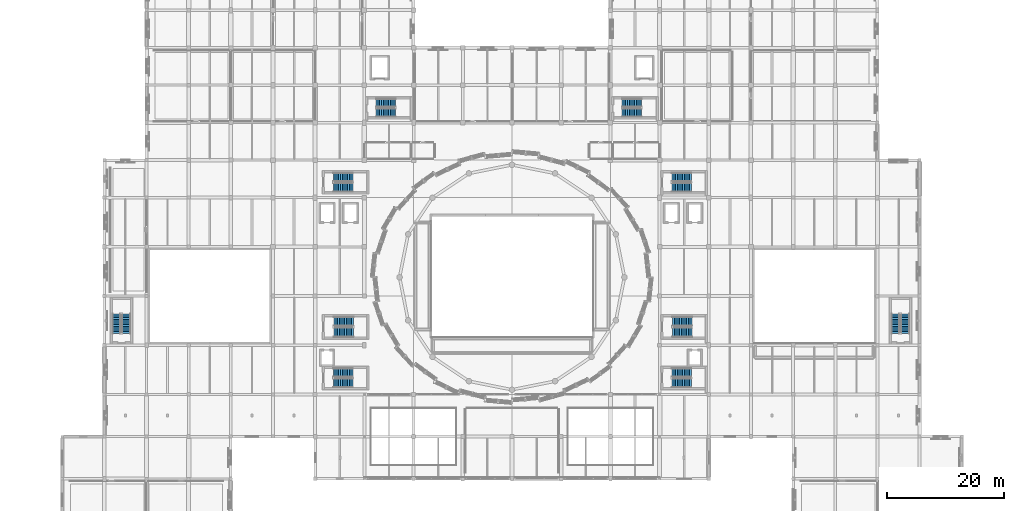
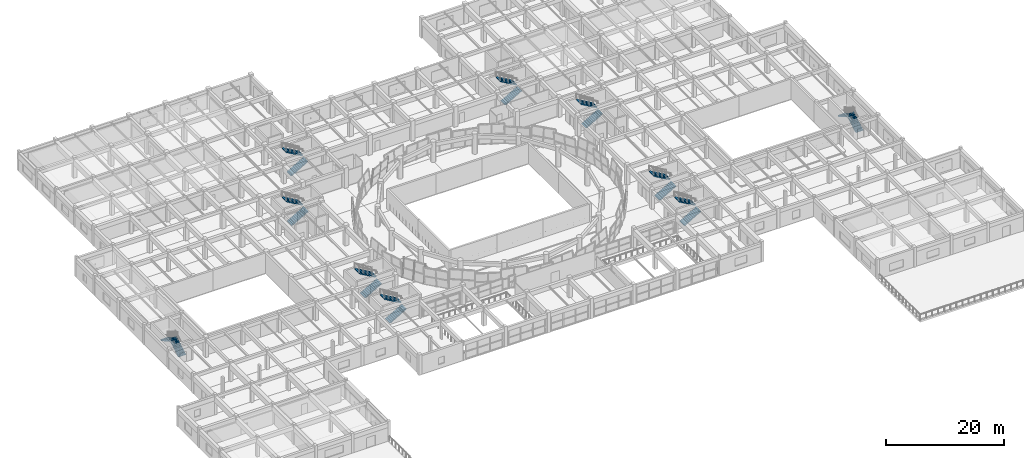
# One storey, part 55 of 71: 20 stair flights, 10 elements without a shape of their own.
"""IFC4 building model written with IfcOpenShell, lengths in metres."""

from ifc_helpers import new_model, si_unit, direction, frame, origin, place, context, subcontext, project, spatial, polyline, outline, extrude, material, type_object, element, aggregate, save


model = new_model("IFC4")

# Units and contexts
model_context = context("Model", 3, precision=1e-05, world=origin(), true_north=direction((0.0, 1.0)))
body_context = subcontext(model_context, "Body", "Model", "MODEL_VIEW")
ifc_project = project(units=[si_unit("LENGTHUNIT", "METRE"), si_unit("AREAUNIT", "SQUARE_METRE"), si_unit("VOLUMEUNIT", "CUBIC_METRE"), si_unit("PLANEANGLEUNIT", "RADIAN"), si_unit("MASSUNIT", "GRAM", prefix="KILO")], contexts=[model_context])

# Site, building, storey
site_placement = place(None, origin())
site = spatial("IfcSite", under=ifc_project, at=site_placement, CompositionType="ELEMENT")
building_placement = place(site_placement, origin())
building = spatial("IfcBuilding", under=site, at=building_placement, Name="Korsvaeld Concert Hall", CompositionType="ELEMENT")
storey_placement = place(building_placement, frame((0.0, 0.0, 4.800048828125)))
storey = spatial("IfcBuildingStorey", under=building, at=storey_placement, Name="L01", CompositionType="ELEMENT", Elevation=4.800048828125)

# Stair, stair flights
ifc_material = material(Name="Precast concrete C40/50", Category="concrete")
stair_type_1 = type_object("IfcStairType", Name="STR-HT-145-42", PredefinedType="HALF_TURN_STAIR", material=ifc_material)
stair_1_placement = place(storey_placement, origin())
stair_1 = element("IfcStair", 1, at=stair_1_placement, inside=storey, type_object=stair_type_1, Name="L01 ST-K5", PredefinedType="HALF_TURN_STAIR")
stair_flight_type_1 = type_object("IfcStairFlightType", Name="STF-STR-145-42", PredefinedType="STRAIGHT", material=ifc_material)
stair_flight_1_placement = place(storey_placement, frame((60.820068359375, 91.294921875, 0.0), z_axis=(0.0, 0.0, 1.0), x_axis=(1.0, 0.0, 0.0)))
stair_flight_1 = element("IfcStairFlight", 2, at=stair_flight_1_placement, type_object=stair_flight_type_1, Name="ST-K5 flight 1", NumberOfRisers=12, NumberOfTreads=11, PredefinedType="STRAIGHT", RiserHeight=0.175, TreadLength=0.3, context=body_context, shape_type="SweptSolid", body=[
    extrude(outline(polyline([(0.0, 0.0), (0.0, 0.175048828125), (0.300048828125, 0.175048828125), (0.300048828125, 0.35009765625), (0.60009765625, 0.35009765625), (0.60009765625, 0.52490234375), (0.89990234375, 0.52490234375), (0.89990234375, 0.699951171875), (1.199951171875, 0.699951171875), (1.199951171875, 0.875), (1.5, 0.875), (1.5, 1.050048828125), (1.800048828125, 1.050048828125), (1.800048828125, 1.22509765625), (2.10009765625, 1.22509765625), (2.10009765625, 1.39990234375), (2.39990234375, 1.39990234375), (2.39990234375, 1.574951171875), (2.699951171875, 1.574951171875), (2.699951171875, 1.75), (3.0, 1.75), (3.0, 1.925048828125), (3.300048828125, 1.925048828125), (3.300048828125, 2.10009765625), (3.300048828125, 1.75146484375), (0.297607421875, 0.0), (0.0, 0.0)])), frame((0.0, 0.72509765625, 0.0), z_axis=(0.0, -1.0, 0.0), x_axis=(1.0, 0.0, 0.0)), (0.0, 0.0, 1.0), 1.449951171875),
])
stair_flight_2_placement = place(storey_placement, frame((64.1201171875, 92.945068359375, 2.099853515625), z_axis=(0.0, 0.0, 1.0), x_axis=(-1.0, 0.0, 0.0)))
stair_flight_2 = element("IfcStairFlight", 3, at=stair_flight_2_placement, type_object=stair_flight_type_1, Name="ST-K5 flight 2", NumberOfRisers=12, NumberOfTreads=11, PredefinedType="STRAIGHT", RiserHeight=0.175, TreadLength=0.3, context=body_context, shape_type="SweptSolid", body=[
    extrude(outline(polyline([(0.0, 0.0), (0.0, 0.175048828125), (0.300048828125, 0.175048828125), (0.300048828125, 0.35009765625), (0.60009765625, 0.35009765625), (0.60009765625, 0.52490234375), (0.89990234375, 0.52490234375), (0.89990234375, 0.699951171875), (1.199951171875, 0.699951171875), (1.199951171875, 0.875), (1.5, 0.875), (1.5, 1.050048828125), (1.800048828125, 1.050048828125), (1.800048828125, 1.22509765625), (2.10009765625, 1.22509765625), (2.10009765625, 1.39990234375), (2.39990234375, 1.39990234375), (2.39990234375, 1.574951171875), (2.699951171875, 1.574951171875), (2.699951171875, 1.75), (3.0, 1.75), (3.0, 1.925048828125), (3.300048828125, 1.925048828125), (3.300048828125, 2.10009765625), (3.300048828125, 1.75146484375), (0.297607421875, 0.0), (0.0, 0.0)])), frame((0.0, 0.72509765625, 0.0), z_axis=(0.0, -1.0, 0.0), x_axis=(1.0, 0.0, 0.0)), (0.0, 0.0, 1.0), 1.449951171875),
])
aggregate(stair_1, [stair_flight_1, stair_flight_2])

stair_2_placement = place(storey_placement, origin())
stair_2 = element("IfcStair", 4, at=stair_2_placement, inside=storey, type_object=stair_type_1, Name="L01 ST-K6", PredefinedType="HALF_TURN_STAIR")
stair_flight_3_placement = place(storey_placement, frame((102.820068359375, 91.294921875, 0.0), z_axis=(0.0, 0.0, 1.0), x_axis=(1.0, 0.0, 0.0)))
stair_flight_3 = element("IfcStairFlight", 5, at=stair_flight_3_placement, type_object=stair_flight_type_1, Name="ST-K6 flight 1", NumberOfRisers=12, NumberOfTreads=11, PredefinedType="STRAIGHT", RiserHeight=0.175, TreadLength=0.3, context=body_context, shape_type="SweptSolid", body=[
    extrude(outline(polyline([(0.0, 0.0), (0.0, 0.175048828125), (0.300048828125, 0.175048828125), (0.300048828125, 0.35009765625), (0.60009765625, 0.35009765625), (0.60009765625, 0.52490234375), (0.89990234375, 0.52490234375), (0.89990234375, 0.699951171875), (1.199951171875, 0.699951171875), (1.199951171875, 0.875), (1.5, 0.875), (1.5, 1.050048828125), (1.800048828125, 1.050048828125), (1.800048828125, 1.22509765625), (2.10009765625, 1.22509765625), (2.10009765625, 1.39990234375), (2.39990234375, 1.39990234375), (2.39990234375, 1.574951171875), (2.699951171875, 1.574951171875), (2.699951171875, 1.75), (3.0, 1.75), (3.0, 1.925048828125), (3.300048828125, 1.925048828125), (3.300048828125, 2.10009765625), (3.300048828125, 1.75146484375), (0.297607421875, 0.0), (0.0, 0.0)])), frame((0.0, 0.72509765625, 0.0), z_axis=(0.0, -1.0, 0.0), x_axis=(1.0, 0.0, 0.0)), (0.0, 0.0, 1.0), 1.449951171875),
])
stair_flight_4_placement = place(storey_placement, frame((106.1201171875, 92.945068359375, 2.099853515625), z_axis=(0.0, 0.0, 1.0), x_axis=(-1.0, 0.0, 0.0)))
stair_flight_4 = element("IfcStairFlight", 6, at=stair_flight_4_placement, type_object=stair_flight_type_1, Name="ST-K6 flight 2", NumberOfRisers=12, NumberOfTreads=11, PredefinedType="STRAIGHT", RiserHeight=0.175, TreadLength=0.3, context=body_context, shape_type="SweptSolid", body=[
    extrude(outline(polyline([(0.0, 0.0), (0.0, 0.175048828125), (0.300048828125, 0.175048828125), (0.300048828125, 0.35009765625), (0.60009765625, 0.35009765625), (0.60009765625, 0.52490234375), (0.89990234375, 0.52490234375), (0.89990234375, 0.699951171875), (1.199951171875, 0.699951171875), (1.199951171875, 0.875), (1.5, 0.875), (1.5, 1.050048828125), (1.800048828125, 1.050048828125), (1.800048828125, 1.22509765625), (2.10009765625, 1.22509765625), (2.10009765625, 1.39990234375), (2.39990234375, 1.39990234375), (2.39990234375, 1.574951171875), (2.699951171875, 1.574951171875), (2.699951171875, 1.75), (3.0, 1.75), (3.0, 1.925048828125), (3.300048828125, 1.925048828125), (3.300048828125, 2.10009765625), (3.300048828125, 1.75146484375), (0.297607421875, 0.0), (0.0, 0.0)])), frame((0.0, 0.72509765625, 0.0), z_axis=(0.0, -1.0, 0.0), x_axis=(1.0, 0.0, 0.0)), (0.0, 0.0, 1.0), 1.449951171875),
])
aggregate(stair_2, [stair_flight_3, stair_flight_4])

stair_3_placement = place(storey_placement, origin())
stair_3 = element("IfcStair", 7, at=stair_3_placement, inside=storey, type_object=stair_type_1, Name="L01 ST-F3", PredefinedType="HALF_TURN_STAIR")
stair_flight_5_placement = place(storey_placement, frame((18.14501953125, 53.6201171875, 0.0), z_axis=(0.0, 0.0, 1.0), x_axis=(0.0, 1.0, 0.0)))
stair_flight_5 = element("IfcStairFlight", 8, at=stair_flight_5_placement, type_object=stair_flight_type_1, Name="ST-F3 flight 1", NumberOfRisers=12, NumberOfTreads=11, PredefinedType="STRAIGHT", RiserHeight=0.175, TreadLength=0.3, context=body_context, shape_type="SweptSolid", body=[
    extrude(outline(polyline([(0.0, 0.0), (0.0, 0.175048828125), (0.300048828125, 0.175048828125), (0.300048828125, 0.35009765625), (0.60009765625, 0.35009765625), (0.60009765625, 0.52490234375), (0.89990234375, 0.52490234375), (0.89990234375, 0.699951171875), (1.199951171875, 0.699951171875), (1.199951171875, 0.875), (1.5, 0.875), (1.5, 1.050048828125), (1.800048828125, 1.050048828125), (1.800048828125, 1.22509765625), (2.10009765625, 1.22509765625), (2.10009765625, 1.39990234375), (2.39990234375, 1.39990234375), (2.39990234375, 1.574951171875), (2.699951171875, 1.574951171875), (2.699951171875, 1.75), (3.0, 1.75), (3.0, 1.925048828125), (3.300048828125, 1.925048828125), (3.300048828125, 2.10009765625), (3.300048828125, 1.75146484375), (0.297607421875, 0.0), (0.0, 0.0)])), frame((0.0, 0.72509765625, 0.0), z_axis=(0.0, -1.0, 0.0), x_axis=(1.0, 0.0, 0.0)), (0.0, 0.0, 1.0), 1.449951171875),
])
stair_flight_6_placement = place(storey_placement, frame((16.4951171875, 56.919921875, 2.099853515625), z_axis=(0.0, 0.0, 1.0), x_axis=(0.0, -1.0, 0.0)))
stair_flight_6 = element("IfcStairFlight", 9, at=stair_flight_6_placement, type_object=stair_flight_type_1, Name="ST-F3 flight 2", NumberOfRisers=12, NumberOfTreads=11, PredefinedType="STRAIGHT", RiserHeight=0.175, TreadLength=0.3, context=body_context, shape_type="SweptSolid", body=[
    extrude(outline(polyline([(0.0, 0.0), (0.0, 0.175048828125), (0.300048828125, 0.175048828125), (0.300048828125, 0.35009765625), (0.60009765625, 0.35009765625), (0.60009765625, 0.52490234375), (0.89990234375, 0.52490234375), (0.89990234375, 0.699951171875), (1.199951171875, 0.699951171875), (1.199951171875, 0.875), (1.5, 0.875), (1.5, 1.050048828125), (1.800048828125, 1.050048828125), (1.800048828125, 1.22509765625), (2.10009765625, 1.22509765625), (2.10009765625, 1.39990234375), (2.39990234375, 1.39990234375), (2.39990234375, 1.574951171875), (2.699951171875, 1.574951171875), (2.699951171875, 1.75), (3.0, 1.75), (3.0, 1.925048828125), (3.300048828125, 1.925048828125), (3.300048828125, 2.10009765625), (3.300048828125, 1.75146484375), (0.297607421875, 0.0), (0.0, 0.0)])), frame((0.0, 0.72509765625, 0.0), z_axis=(0.0, -1.0, 0.0), x_axis=(1.0, 0.0, 0.0)), (0.0, 0.0, 1.0), 1.449951171875),
])
aggregate(stair_3, [stair_flight_5, stair_flight_6])

stair_4_placement = place(storey_placement, origin())
stair_4 = element("IfcStair", 10, at=stair_4_placement, inside=storey, type_object=stair_type_1, Name="L01 ST-F4", PredefinedType="HALF_TURN_STAIR")
stair_flight_7_placement = place(storey_placement, frame((151.14501953125, 53.6201171875, 0.0), z_axis=(0.0, 0.0, 1.0), x_axis=(0.0, 1.0, 0.0)))
stair_flight_7 = element("IfcStairFlight", 11, at=stair_flight_7_placement, type_object=stair_flight_type_1, Name="ST-F4 flight 1", NumberOfRisers=12, NumberOfTreads=11, PredefinedType="STRAIGHT", RiserHeight=0.175, TreadLength=0.3, context=body_context, shape_type="SweptSolid", body=[
    extrude(outline(polyline([(0.0, 0.0), (0.0, 0.175048828125), (0.300048828125, 0.175048828125), (0.300048828125, 0.35009765625), (0.60009765625, 0.35009765625), (0.60009765625, 0.52490234375), (0.89990234375, 0.52490234375), (0.89990234375, 0.699951171875), (1.199951171875, 0.699951171875), (1.199951171875, 0.875), (1.5, 0.875), (1.5, 1.050048828125), (1.800048828125, 1.050048828125), (1.800048828125, 1.22509765625), (2.10009765625, 1.22509765625), (2.10009765625, 1.39990234375), (2.39990234375, 1.39990234375), (2.39990234375, 1.574951171875), (2.699951171875, 1.574951171875), (2.699951171875, 1.75), (3.0, 1.75), (3.0, 1.925048828125), (3.300048828125, 1.925048828125), (3.300048828125, 2.10009765625), (3.300048828125, 1.75146484375), (0.297607421875, 0.0), (0.0, 0.0)])), frame((0.0, 0.72509765625, 0.0), z_axis=(0.0, -1.0, 0.0), x_axis=(1.0, 0.0, 0.0)), (0.0, 0.0, 1.0), 1.449951171875),
])
stair_flight_8_placement = place(storey_placement, frame((149.4951171875, 56.919921875, 2.099853515625), z_axis=(0.0, 0.0, 1.0), x_axis=(0.0, -1.0, 0.0)))
stair_flight_8 = element("IfcStairFlight", 12, at=stair_flight_8_placement, type_object=stair_flight_type_1, Name="ST-F4 flight 2", NumberOfRisers=12, NumberOfTreads=11, PredefinedType="STRAIGHT", RiserHeight=0.175, TreadLength=0.3, context=body_context, shape_type="SweptSolid", body=[
    extrude(outline(polyline([(0.0, 0.0), (0.0, 0.175048828125), (0.300048828125, 0.175048828125), (0.300048828125, 0.35009765625), (0.60009765625, 0.35009765625), (0.60009765625, 0.52490234375), (0.89990234375, 0.52490234375), (0.89990234375, 0.699951171875), (1.199951171875, 0.699951171875), (1.199951171875, 0.875), (1.5, 0.875), (1.5, 1.050048828125), (1.800048828125, 1.050048828125), (1.800048828125, 1.22509765625), (2.10009765625, 1.22509765625), (2.10009765625, 1.39990234375), (2.39990234375, 1.39990234375), (2.39990234375, 1.574951171875), (2.699951171875, 1.574951171875), (2.699951171875, 1.75), (3.0, 1.75), (3.0, 1.925048828125), (3.300048828125, 1.925048828125), (3.300048828125, 2.10009765625), (3.300048828125, 1.75146484375), (0.297607421875, 0.0), (0.0, 0.0)])), frame((0.0, 0.72509765625, 0.0), z_axis=(0.0, -1.0, 0.0), x_axis=(1.0, 0.0, 0.0)), (0.0, 0.0, 1.0), 1.449951171875),
])
aggregate(stair_4, [stair_flight_7, stair_flight_8])

stair_type_2 = type_object("IfcStairType", Name="STR-HT-155-42", PredefinedType="HALF_TURN_STAIR", material=ifc_material)
stair_5_placement = place(storey_placement, origin())
stair_5 = element("IfcStair", 13, at=stair_5_placement, inside=storey, type_object=stair_type_2, Name="L01 ST-K1", PredefinedType="HALF_TURN_STAIR")
stair_flight_type_2 = type_object("IfcStairFlightType", Name="STF-STR-155-42", PredefinedType="STRAIGHT", material=ifc_material)
stair_flight_9_placement = place(storey_placement, frame((53.52001953125, 78.544921875, 0.0), z_axis=(0.0, 0.0, 1.0), x_axis=(1.0, 0.0, 0.0)))
stair_flight_9 = element("IfcStairFlight", 14, at=stair_flight_9_placement, type_object=stair_flight_type_2, Name="ST-K1 flight 1", NumberOfRisers=12, NumberOfTreads=11, PredefinedType="STRAIGHT", RiserHeight=0.175, TreadLength=0.3, context=body_context, shape_type="SweptSolid", body=[
    extrude(outline(polyline([(0.0, 0.0), (0.0, 0.175048828125), (0.300048828125, 0.175048828125), (0.300048828125, 0.35009765625), (0.60009765625, 0.35009765625), (0.60009765625, 0.52490234375), (0.89990234375, 0.52490234375), (0.89990234375, 0.699951171875), (1.199951171875, 0.699951171875), (1.199951171875, 0.875), (1.5, 0.875), (1.5, 1.050048828125), (1.800048828125, 1.050048828125), (1.800048828125, 1.22509765625), (2.10009765625, 1.22509765625), (2.10009765625, 1.39990234375), (2.39990234375, 1.39990234375), (2.39990234375, 1.574951171875), (2.699951171875, 1.574951171875), (2.699951171875, 1.75), (3.0, 1.75), (3.0, 1.925048828125), (3.300048828125, 1.925048828125), (3.300048828125, 2.10009765625), (3.300048828125, 1.75146484375), (0.297607421875, 0.0), (0.0, 0.0)])), frame((0.0, 0.77490234375, 0.0), z_axis=(0.0, -1.0, 0.0), x_axis=(1.0, 0.0, 0.0)), (0.0, 0.0, 1.0), 1.550048828125),
])
stair_flight_10_placement = place(storey_placement, frame((56.820068359375, 80.294921875, 2.099853515625), z_axis=(0.0, 0.0, 1.0), x_axis=(-1.0, 0.0, 0.0)))
stair_flight_10 = element("IfcStairFlight", 15, at=stair_flight_10_placement, type_object=stair_flight_type_2, Name="ST-K1 flight 2", NumberOfRisers=12, NumberOfTreads=11, PredefinedType="STRAIGHT", RiserHeight=0.175, TreadLength=0.3, context=body_context, shape_type="SweptSolid", body=[
    extrude(outline(polyline([(0.0, 0.0), (0.0, 0.175048828125), (0.300048828125, 0.175048828125), (0.300048828125, 0.35009765625), (0.60009765625, 0.35009765625), (0.60009765625, 0.52490234375), (0.89990234375, 0.52490234375), (0.89990234375, 0.699951171875), (1.199951171875, 0.699951171875), (1.199951171875, 0.875), (1.5, 0.875), (1.5, 1.050048828125), (1.800048828125, 1.050048828125), (1.800048828125, 1.22509765625), (2.10009765625, 1.22509765625), (2.10009765625, 1.39990234375), (2.39990234375, 1.39990234375), (2.39990234375, 1.574951171875), (2.699951171875, 1.574951171875), (2.699951171875, 1.75), (3.0, 1.75), (3.0, 1.925048828125), (3.300048828125, 1.925048828125), (3.300048828125, 2.10009765625), (3.300048828125, 1.75146484375), (0.297607421875, 0.0), (0.0, 0.0)])), frame((0.0, 0.77490234375, 0.0), z_axis=(0.0, -1.0, 0.0), x_axis=(1.0, 0.0, 0.0)), (0.0, 0.0, 1.0), 1.550048828125),
])
aggregate(stair_5, [stair_flight_9, stair_flight_10])

stair_6_placement = place(storey_placement, origin())
stair_6 = element("IfcStair", 16, at=stair_6_placement, inside=storey, type_object=stair_type_2, Name="L01 ST-K2", PredefinedType="HALF_TURN_STAIR")
stair_flight_11_placement = place(storey_placement, frame((111.320068359375, 78.544921875, 0.0), z_axis=(0.0, 0.0, 1.0), x_axis=(1.0, 0.0, 0.0)))
stair_flight_11 = element("IfcStairFlight", 17, at=stair_flight_11_placement, type_object=stair_flight_type_2, Name="ST-K2 flight 1", NumberOfRisers=12, NumberOfTreads=11, PredefinedType="STRAIGHT", RiserHeight=0.175, TreadLength=0.3, context=body_context, shape_type="SweptSolid", body=[
    extrude(outline(polyline([(0.0, 0.0), (0.0, 0.175048828125), (0.300048828125, 0.175048828125), (0.300048828125, 0.35009765625), (0.60009765625, 0.35009765625), (0.60009765625, 0.52490234375), (0.89990234375, 0.52490234375), (0.89990234375, 0.699951171875), (1.199951171875, 0.699951171875), (1.199951171875, 0.875), (1.5, 0.875), (1.5, 1.050048828125), (1.800048828125, 1.050048828125), (1.800048828125, 1.22509765625), (2.10009765625, 1.22509765625), (2.10009765625, 1.39990234375), (2.39990234375, 1.39990234375), (2.39990234375, 1.574951171875), (2.699951171875, 1.574951171875), (2.699951171875, 1.75), (3.0, 1.75), (3.0, 1.925048828125), (3.300048828125, 1.925048828125), (3.300048828125, 2.10009765625), (3.300048828125, 1.75146484375), (0.297607421875, 0.0), (0.0, 0.0)])), frame((0.0, 0.77490234375, 0.0), z_axis=(0.0, -1.0, 0.0), x_axis=(1.0, 0.0, 0.0)), (0.0, 0.0, 1.0), 1.550048828125),
])
stair_flight_12_placement = place(storey_placement, frame((114.6201171875, 80.294921875, 2.099853515625), z_axis=(0.0, 0.0, 1.0), x_axis=(-1.0, 0.0, 0.0)))
stair_flight_12 = element("IfcStairFlight", 18, at=stair_flight_12_placement, type_object=stair_flight_type_2, Name="ST-K2 flight 2", NumberOfRisers=12, NumberOfTreads=11, PredefinedType="STRAIGHT", RiserHeight=0.175, TreadLength=0.3, context=body_context, shape_type="SweptSolid", body=[
    extrude(outline(polyline([(0.0, 0.0), (0.0, 0.175048828125), (0.300048828125, 0.175048828125), (0.300048828125, 0.35009765625), (0.60009765625, 0.35009765625), (0.60009765625, 0.52490234375), (0.89990234375, 0.52490234375), (0.89990234375, 0.699951171875), (1.199951171875, 0.699951171875), (1.199951171875, 0.875), (1.5, 0.875), (1.5, 1.050048828125), (1.800048828125, 1.050048828125), (1.800048828125, 1.22509765625), (2.10009765625, 1.22509765625), (2.10009765625, 1.39990234375), (2.39990234375, 1.39990234375), (2.39990234375, 1.574951171875), (2.699951171875, 1.574951171875), (2.699951171875, 1.75), (3.0, 1.75), (3.0, 1.925048828125), (3.300048828125, 1.925048828125), (3.300048828125, 2.10009765625), (3.300048828125, 1.75146484375), (0.297607421875, 0.0), (0.0, 0.0)])), frame((0.0, 0.77490234375, 0.0), z_axis=(0.0, -1.0, 0.0), x_axis=(1.0, 0.0, 0.0)), (0.0, 0.0, 1.0), 1.550048828125),
])
aggregate(stair_6, [stair_flight_11, stair_flight_12])

stair_7_placement = place(storey_placement, origin())
stair_7 = element("IfcStair", 19, at=stair_7_placement, inside=storey, type_object=stair_type_2, Name="L01 ST-K3", PredefinedType="HALF_TURN_STAIR")
stair_flight_13_placement = place(storey_placement, frame((53.52001953125, 45.14501953125, 0.0), z_axis=(0.0, 0.0, 1.0), x_axis=(1.0, 0.0, 0.0)))
stair_flight_13 = element("IfcStairFlight", 20, at=stair_flight_13_placement, type_object=stair_flight_type_2, Name="ST-K3 flight 1", NumberOfRisers=12, NumberOfTreads=11, PredefinedType="STRAIGHT", RiserHeight=0.175, TreadLength=0.3, context=body_context, shape_type="SweptSolid", body=[
    extrude(outline(polyline([(0.0, 0.0), (0.0, 0.175048828125), (0.300048828125, 0.175048828125), (0.300048828125, 0.35009765625), (0.60009765625, 0.35009765625), (0.60009765625, 0.52490234375), (0.89990234375, 0.52490234375), (0.89990234375, 0.699951171875), (1.199951171875, 0.699951171875), (1.199951171875, 0.875), (1.5, 0.875), (1.5, 1.050048828125), (1.800048828125, 1.050048828125), (1.800048828125, 1.22509765625), (2.10009765625, 1.22509765625), (2.10009765625, 1.39990234375), (2.39990234375, 1.39990234375), (2.39990234375, 1.574951171875), (2.699951171875, 1.574951171875), (2.699951171875, 1.75), (3.0, 1.75), (3.0, 1.925048828125), (3.300048828125, 1.925048828125), (3.300048828125, 2.10009765625), (3.300048828125, 1.75146484375), (0.297607421875, 0.0), (0.0, 0.0)])), frame((0.0, 0.77490234375, 0.0), z_axis=(0.0, -1.0, 0.0), x_axis=(1.0, 0.0, 0.0)), (0.0, 0.0, 1.0), 1.550048828125),
])
stair_flight_14_placement = place(storey_placement, frame((56.820068359375, 46.89501953125, 2.099853515625), z_axis=(0.0, 0.0, 1.0), x_axis=(-1.0, 0.0, 0.0)))
stair_flight_14 = element("IfcStairFlight", 21, at=stair_flight_14_placement, type_object=stair_flight_type_2, Name="ST-K3 flight 2", NumberOfRisers=12, NumberOfTreads=11, PredefinedType="STRAIGHT", RiserHeight=0.175, TreadLength=0.3, context=body_context, shape_type="SweptSolid", body=[
    extrude(outline(polyline([(0.0, 0.0), (0.0, 0.175048828125), (0.300048828125, 0.175048828125), (0.300048828125, 0.35009765625), (0.60009765625, 0.35009765625), (0.60009765625, 0.52490234375), (0.89990234375, 0.52490234375), (0.89990234375, 0.699951171875), (1.199951171875, 0.699951171875), (1.199951171875, 0.875), (1.5, 0.875), (1.5, 1.050048828125), (1.800048828125, 1.050048828125), (1.800048828125, 1.22509765625), (2.10009765625, 1.22509765625), (2.10009765625, 1.39990234375), (2.39990234375, 1.39990234375), (2.39990234375, 1.574951171875), (2.699951171875, 1.574951171875), (2.699951171875, 1.75), (3.0, 1.75), (3.0, 1.925048828125), (3.300048828125, 1.925048828125), (3.300048828125, 2.10009765625), (3.300048828125, 1.75146484375), (0.297607421875, 0.0), (0.0, 0.0)])), frame((0.0, 0.77490234375, 0.0), z_axis=(0.0, -1.0, 0.0), x_axis=(1.0, 0.0, 0.0)), (0.0, 0.0, 1.0), 1.550048828125),
])
aggregate(stair_7, [stair_flight_13, stair_flight_14])

stair_8_placement = place(storey_placement, origin())
stair_8 = element("IfcStair", 22, at=stair_8_placement, inside=storey, type_object=stair_type_2, Name="L01 ST-K4", PredefinedType="HALF_TURN_STAIR")
stair_flight_15_placement = place(storey_placement, frame((111.320068359375, 45.14501953125, 0.0), z_axis=(0.0, 0.0, 1.0), x_axis=(1.0, 0.0, 0.0)))
stair_flight_15 = element("IfcStairFlight", 23, at=stair_flight_15_placement, type_object=stair_flight_type_2, Name="ST-K4 flight 1", NumberOfRisers=12, NumberOfTreads=11, PredefinedType="STRAIGHT", RiserHeight=0.175, TreadLength=0.3, context=body_context, shape_type="SweptSolid", body=[
    extrude(outline(polyline([(0.0, 0.0), (0.0, 0.175048828125), (0.300048828125, 0.175048828125), (0.300048828125, 0.35009765625), (0.60009765625, 0.35009765625), (0.60009765625, 0.52490234375), (0.89990234375, 0.52490234375), (0.89990234375, 0.699951171875), (1.199951171875, 0.699951171875), (1.199951171875, 0.875), (1.5, 0.875), (1.5, 1.050048828125), (1.800048828125, 1.050048828125), (1.800048828125, 1.22509765625), (2.10009765625, 1.22509765625), (2.10009765625, 1.39990234375), (2.39990234375, 1.39990234375), (2.39990234375, 1.574951171875), (2.699951171875, 1.574951171875), (2.699951171875, 1.75), (3.0, 1.75), (3.0, 1.925048828125), (3.300048828125, 1.925048828125), (3.300048828125, 2.10009765625), (3.300048828125, 1.75146484375), (0.297607421875, 0.0), (0.0, 0.0)])), frame((0.0, 0.77490234375, 0.0), z_axis=(0.0, -1.0, 0.0), x_axis=(1.0, 0.0, 0.0)), (0.0, 0.0, 1.0), 1.550048828125),
])
stair_flight_16_placement = place(storey_placement, frame((114.6201171875, 46.89501953125, 2.099853515625), z_axis=(0.0, 0.0, 1.0), x_axis=(-1.0, 0.0, 0.0)))
stair_flight_16 = element("IfcStairFlight", 24, at=stair_flight_16_placement, type_object=stair_flight_type_2, Name="ST-K4 flight 2", NumberOfRisers=12, NumberOfTreads=11, PredefinedType="STRAIGHT", RiserHeight=0.175, TreadLength=0.3, context=body_context, shape_type="SweptSolid", body=[
    extrude(outline(polyline([(0.0, 0.0), (0.0, 0.175048828125), (0.300048828125, 0.175048828125), (0.300048828125, 0.35009765625), (0.60009765625, 0.35009765625), (0.60009765625, 0.52490234375), (0.89990234375, 0.52490234375), (0.89990234375, 0.699951171875), (1.199951171875, 0.699951171875), (1.199951171875, 0.875), (1.5, 0.875), (1.5, 1.050048828125), (1.800048828125, 1.050048828125), (1.800048828125, 1.22509765625), (2.10009765625, 1.22509765625), (2.10009765625, 1.39990234375), (2.39990234375, 1.39990234375), (2.39990234375, 1.574951171875), (2.699951171875, 1.574951171875), (2.699951171875, 1.75), (3.0, 1.75), (3.0, 1.925048828125), (3.300048828125, 1.925048828125), (3.300048828125, 2.10009765625), (3.300048828125, 1.75146484375), (0.297607421875, 0.0), (0.0, 0.0)])), frame((0.0, 0.77490234375, 0.0), z_axis=(0.0, -1.0, 0.0), x_axis=(1.0, 0.0, 0.0)), (0.0, 0.0, 1.0), 1.550048828125),
])
aggregate(stair_8, [stair_flight_15, stair_flight_16])

stair_type_3 = type_object("IfcStairType", Name="STR-HT-165-42", PredefinedType="HALF_TURN_STAIR", material=ifc_material)
stair_9_placement = place(storey_placement, origin())
stair_9 = element("IfcStair", 25, at=stair_9_placement, inside=storey, type_object=stair_type_3, Name="L01 ST-F1", PredefinedType="HALF_TURN_STAIR")
stair_flight_type_3 = type_object("IfcStairFlightType", Name="STF-STR-165-42", PredefinedType="STRAIGHT", material=ifc_material)
stair_flight_17_placement = place(storey_placement, frame((53.6201171875, 53.794921875, 0.0), z_axis=(0.0, 0.0, 1.0), x_axis=(1.0, 0.0, 0.0)))
stair_flight_17 = element("IfcStairFlight", 26, at=stair_flight_17_placement, type_object=stair_flight_type_3, Name="ST-F1 flight 1", NumberOfRisers=12, NumberOfTreads=11, PredefinedType="STRAIGHT", RiserHeight=0.175, TreadLength=0.3, context=body_context, shape_type="SweptSolid", body=[
    extrude(outline(polyline([(0.0, 0.0), (0.0, 0.175048828125), (0.300048828125, 0.175048828125), (0.300048828125, 0.35009765625), (0.60009765625, 0.35009765625), (0.60009765625, 0.52490234375), (0.89990234375, 0.52490234375), (0.89990234375, 0.699951171875), (1.199951171875, 0.699951171875), (1.199951171875, 0.875), (1.5, 0.875), (1.5, 1.050048828125), (1.800048828125, 1.050048828125), (1.800048828125, 1.22509765625), (2.10009765625, 1.22509765625), (2.10009765625, 1.39990234375), (2.39990234375, 1.39990234375), (2.39990234375, 1.574951171875), (2.699951171875, 1.574951171875), (2.699951171875, 1.75), (3.0, 1.75), (3.0, 1.925048828125), (3.300048828125, 1.925048828125), (3.300048828125, 2.10009765625), (3.300048828125, 1.75146484375), (0.297607421875, 0.0), (0.0, 0.0)])), frame((0.0, 0.824951171875, 0.0), z_axis=(0.0, -1.0, 0.0), x_axis=(1.0, 0.0, 0.0)), (0.0, 0.0, 1.0), 1.64990234375),
])
stair_flight_18_placement = place(storey_placement, frame((56.919921875, 55.64501953125, 2.099853515625), z_axis=(0.0, 0.0, 1.0), x_axis=(-1.0, 0.0, 0.0)))
stair_flight_18 = element("IfcStairFlight", 27, at=stair_flight_18_placement, type_object=stair_flight_type_3, Name="ST-F1 flight 2", NumberOfRisers=12, NumberOfTreads=11, PredefinedType="STRAIGHT", RiserHeight=0.175, TreadLength=0.3, context=body_context, shape_type="SweptSolid", body=[
    extrude(outline(polyline([(0.0, 0.0), (0.0, 0.175048828125), (0.300048828125, 0.175048828125), (0.300048828125, 0.35009765625), (0.60009765625, 0.35009765625), (0.60009765625, 0.52490234375), (0.89990234375, 0.52490234375), (0.89990234375, 0.699951171875), (1.199951171875, 0.699951171875), (1.199951171875, 0.875), (1.5, 0.875), (1.5, 1.050048828125), (1.800048828125, 1.050048828125), (1.800048828125, 1.22509765625), (2.10009765625, 1.22509765625), (2.10009765625, 1.39990234375), (2.39990234375, 1.39990234375), (2.39990234375, 1.574951171875), (2.699951171875, 1.574951171875), (2.699951171875, 1.75), (3.0, 1.75), (3.0, 1.925048828125), (3.300048828125, 1.925048828125), (3.300048828125, 2.10009765625), (3.300048828125, 1.75146484375), (0.297607421875, 0.0), (0.0, 0.0)])), frame((0.0, 0.824951171875, 0.0), z_axis=(0.0, -1.0, 0.0), x_axis=(1.0, 0.0, 0.0)), (0.0, 0.0, 1.0), 1.64990234375),
])
aggregate(stair_9, [stair_flight_17, stair_flight_18])

stair_10_placement = place(storey_placement, origin())
stair_10 = element("IfcStair", 28, at=stair_10_placement, inside=storey, type_object=stair_type_3, Name="L01 ST-F2", PredefinedType="HALF_TURN_STAIR")
stair_flight_19_placement = place(storey_placement, frame((111.419921875, 53.794921875, 0.0), z_axis=(0.0, 0.0, 1.0), x_axis=(1.0, 0.0, 0.0)))
stair_flight_19 = element("IfcStairFlight", 29, at=stair_flight_19_placement, type_object=stair_flight_type_3, Name="ST-F2 flight 1", NumberOfRisers=12, NumberOfTreads=11, PredefinedType="STRAIGHT", RiserHeight=0.175, TreadLength=0.3, context=body_context, shape_type="SweptSolid", body=[
    extrude(outline(polyline([(0.0, 0.0), (0.0, 0.175048828125), (0.300048828125, 0.175048828125), (0.300048828125, 0.35009765625), (0.60009765625, 0.35009765625), (0.60009765625, 0.52490234375), (0.89990234375, 0.52490234375), (0.89990234375, 0.699951171875), (1.199951171875, 0.699951171875), (1.199951171875, 0.875), (1.5, 0.875), (1.5, 1.050048828125), (1.800048828125, 1.050048828125), (1.800048828125, 1.22509765625), (2.10009765625, 1.22509765625), (2.10009765625, 1.39990234375), (2.39990234375, 1.39990234375), (2.39990234375, 1.574951171875), (2.699951171875, 1.574951171875), (2.699951171875, 1.75), (3.0, 1.75), (3.0, 1.925048828125), (3.300048828125, 1.925048828125), (3.300048828125, 2.10009765625), (3.300048828125, 1.75146484375), (0.297607421875, 0.0), (0.0, 0.0)])), frame((0.0, 0.824951171875, 0.0), z_axis=(0.0, -1.0, 0.0), x_axis=(1.0, 0.0, 0.0)), (0.0, 0.0, 1.0), 1.64990234375),
])
stair_flight_20_placement = place(storey_placement, frame((114.719970703125, 55.64501953125, 2.099853515625), z_axis=(0.0, 0.0, 1.0), x_axis=(-1.0, 0.0, 0.0)))
stair_flight_20 = element("IfcStairFlight", 30, at=stair_flight_20_placement, type_object=stair_flight_type_3, Name="ST-F2 flight 2", NumberOfRisers=12, NumberOfTreads=11, PredefinedType="STRAIGHT", RiserHeight=0.175, TreadLength=0.3, context=body_context, shape_type="SweptSolid", body=[
    extrude(outline(polyline([(0.0, 0.0), (0.0, 0.175048828125), (0.300048828125, 0.175048828125), (0.300048828125, 0.35009765625), (0.60009765625, 0.35009765625), (0.60009765625, 0.52490234375), (0.89990234375, 0.52490234375), (0.89990234375, 0.699951171875), (1.199951171875, 0.699951171875), (1.199951171875, 0.875), (1.5, 0.875), (1.5, 1.050048828125), (1.800048828125, 1.050048828125), (1.800048828125, 1.22509765625), (2.10009765625, 1.22509765625), (2.10009765625, 1.39990234375), (2.39990234375, 1.39990234375), (2.39990234375, 1.574951171875), (2.699951171875, 1.574951171875), (2.699951171875, 1.75), (3.0, 1.75), (3.0, 1.925048828125), (3.300048828125, 1.925048828125), (3.300048828125, 2.10009765625), (3.300048828125, 1.75146484375), (0.297607421875, 0.0), (0.0, 0.0)])), frame((0.0, 0.824951171875, 0.0), z_axis=(0.0, -1.0, 0.0), x_axis=(1.0, 0.0, 0.0)), (0.0, 0.0, 1.0), 1.64990234375),
])
aggregate(stair_10, [stair_flight_19, stair_flight_20])

save(model, "model.ifc")
